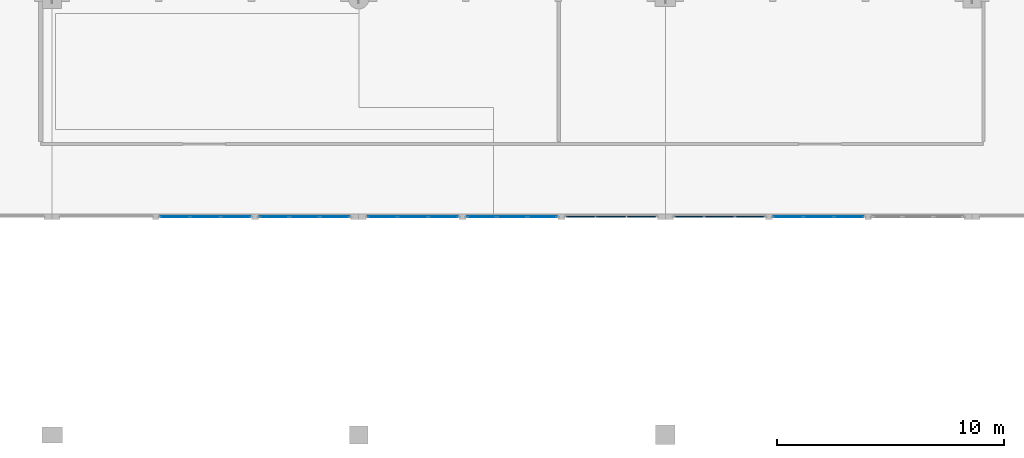
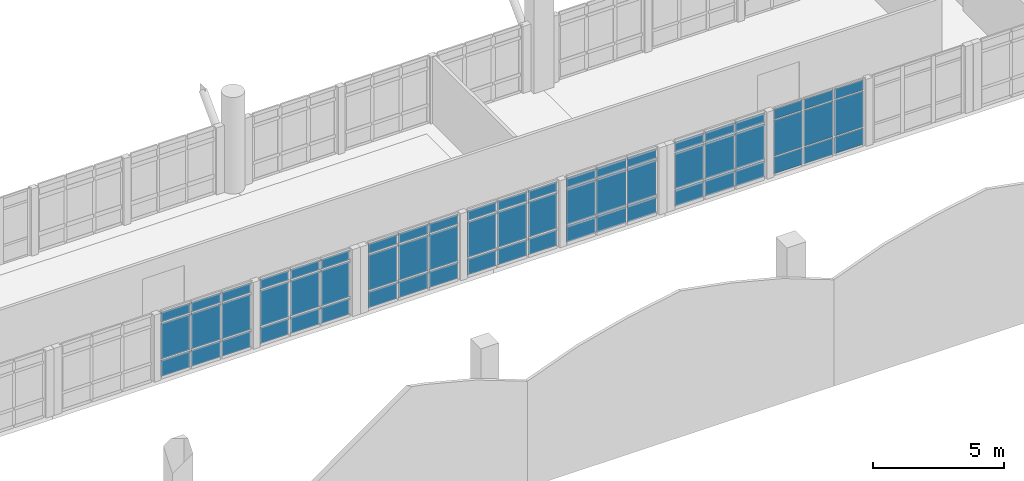
# One storey, part 27 of 37: 63 plates, 7 elements without a shape of their own.
"""IFC4 building model written with IfcOpenShell, lengths in metres."""

import ifcopenshell
import ifcopenshell.guid

model = None  # the IFC model being written
_history = None  # IfcOwnerHistory: only IFC2X3 demands one
_inside = {}  # id of a spatial element -> (the spatial element, [elements in it])
_under = {}  # id of a project, library or spatial element -> (it, [spatial elements below it])
_declared = {}  # id of a project -> (the project, [libraries it declares])
_typed = {}  # id of a type object -> (the type object, [elements of that type])
_made_of = {}  # id of a material, layer set ... -> (it, [elements and type objects made of it])


def new_model(schema):
    """Start an empty IFC model of exactly this schema.

    Asked for "IFC4X3", IfcOpenShell would pick the latest addendum, in which some entities
    have other attributes; the version numbers below select the first issue.
    IFC2X3 requires an IfcOwnerHistory on every rooted entity: one is made here for all.
    """
    global model, _history
    if schema == "IFC4X3":
        model = ifcopenshell.file(schema_version=(4, 3, 0, 0))
    else:
        model = ifcopenshell.file(schema=schema)
    _inside.clear()
    _under.clear()
    _declared.clear()
    _typed.clear()
    _made_of.clear()
    _history = None
    if model.schema == "IFC2X3":
        org = make("IfcOrganization", Name="unknown")
        user = make(
            "IfcPersonAndOrganization",
            ThePerson=make("IfcPerson", FamilyName="unknown"),
            TheOrganization=org,
        )
        app = make(
            "IfcApplication",
            ApplicationDeveloper=org,
            Version="unknown",
            ApplicationFullName="unknown",
            ApplicationIdentifier="unknown",
        )
        _history = make(
            "IfcOwnerHistory",
            OwningUser=user,
            OwningApplication=app,
            ChangeAction="ADDED",
            CreationDate=0,
        )
    return model


def make(cls, **values):
    """One entity of the class cls with the attributes given. An attribute that is None is left unset."""
    return model.create_entity(
        cls, **{name: value for name, value in values.items() if value is not None}
    )


def rooted(cls, **values):
    """An entity with a GlobalId (a new one), such as an element, a storey or a relation."""
    return make(cls, GlobalId=ifcopenshell.guid.new(), OwnerHistory=_history, **values)


def si_unit(unit_type, name, prefix=None):
    """IfcSIUnit, for example si_unit("LENGTHUNIT", "METRE", prefix="MILLI")."""
    return make("IfcSIUnit", UnitType=unit_type, Prefix=prefix, Name=name)


def assignment(units):
    """IfcUnitAssignment: the units of a project."""
    return None if units is None else make("IfcUnitAssignment", Units=units)


def point(xyz):
    """IfcCartesianPoint."""
    return None if xyz is None else make("IfcCartesianPoint", Coordinates=xyz)


def direction(xyz):
    """IfcDirection."""
    return None if xyz is None else make("IfcDirection", DirectionRatios=xyz)


def frame(location, z_axis=None, x_axis=None):
    """IfcAxis2Placement3D, a coordinate frame: its origin and axes. An axis left out is left unset."""
    return make(
        "IfcAxis2Placement3D",
        Location=point(location),
        Axis=direction(z_axis),
        RefDirection=direction(x_axis),
    )


def frame_2d(location, x_axis=None):
    """IfcAxis2Placement2D, a coordinate frame in the plane: its origin and x axis."""
    return make(
        "IfcAxis2Placement2D", Location=point(location), RefDirection=direction(x_axis)
    )


def origin():
    """The frame at (0, 0, 0) with its axes left unset."""
    return frame((0.0, 0.0, 0.0))


def origin_2d():
    """The frame at (0, 0) in the plane with its x axis left unset."""
    return frame_2d((0.0, 0.0))


def place(relative_to, where):
    """IfcLocalPlacement: puts the frame where relative to a parent placement (None: the world)."""
    return make(
        "IfcLocalPlacement", PlacementRelTo=relative_to, RelativePlacement=where
    )


def context(
    kind, dimensions, precision=None, world=None, true_north=None, identifier=None
):
    """IfcGeometricRepresentationContext, for example the 3D "Model" context."""
    return make(
        "IfcGeometricRepresentationContext",
        ContextIdentifier=identifier,
        ContextType=kind,
        CoordinateSpaceDimension=dimensions,
        Precision=precision,
        WorldCoordinateSystem=world,
        TrueNorth=true_north,
    )


def subcontext(parent, identifier, kind, view, scale=None):
    """IfcGeometricRepresentationSubContext, for example "Body" below "Model"."""
    return make(
        "IfcGeometricRepresentationSubContext",
        ContextIdentifier=identifier,
        ContextType=kind,
        ParentContext=parent,
        TargetScale=scale,
        TargetView=view,
    )


def project(units=None, contexts=None):
    """IfcProject with its units and contexts."""
    return rooted(
        "IfcProject",
        Name="project",
        RepresentationContexts=contexts,
        UnitsInContext=assignment(units),
    )


def spatial(cls, under=None, at=None, **own):
    """A site, building, storey or space (cls), placed at a placement, below another one or the project."""
    s = rooted(cls, ObjectPlacement=at, **own)
    if under is not None:
        _under.setdefault(under.id(), (under, []))[1].append(s)
    return s


def profile(cls, at=None, kind="AREA", **sizes):
    """A parametric profile (cls). Its sizes go by their IFC names, for example OverallWidth=200.0."""
    return make(cls, ProfileType=kind, Position=at, **sizes)


def rectangle(**sizes):
    """IfcRectangleProfileDef."""
    return profile("IfcRectangleProfileDef", **sizes)


def extrude(swept, where, along, depth):
    """IfcExtrudedAreaSolid: the profile swept, set in the frame where, extruded along a direction by depth."""
    return make(
        "IfcExtrudedAreaSolid",
        SweptArea=swept,
        Position=where,
        ExtrudedDirection=direction(along),
        Depth=depth,
    )


def shape(context_of_items, identifier, shape_type, items):
    """IfcShapeRepresentation: the items that make up one representation, for example the "Body"."""
    return make(
        "IfcShapeRepresentation",
        ContextOfItems=context_of_items,
        RepresentationIdentifier=identifier,
        RepresentationType=shape_type,
        Items=items,
    )


def material(Name=None, Category=None):
    """IfcMaterial."""
    return make("IfcMaterial", Name=Name, Category=Category)


def layer(
    of_material, thickness, ventilated=None, Name=None, Category=None, Priority=None
):
    """IfcMaterialLayer: one layer of a wall or slab, of a material (None: an air gap)."""
    return make(
        "IfcMaterialLayer",
        Material=of_material,
        LayerThickness=thickness,
        IsVentilated=ventilated,
        Name=Name,
        Category=Category,
        Priority=Priority,
    )


def layer_set(layers, Name=None):
    """IfcMaterialLayerSet."""
    return make("IfcMaterialLayerSet", MaterialLayers=layers, LayerSetName=Name)


def made_of(thing, what):
    """Note that an element or type object is made of a material, layer set ...; save() writes the relation."""
    if what is not None:
        _made_of.setdefault(what.id(), (what, []))[1].append(thing)
    return thing


def type_object(cls, material=None, **own):
    """A type object (cls), such as IfcWallType, which elements share."""
    return made_of(rooted(cls, **own), material)


def element(
    cls,
    number,
    at=None,
    inside=None,
    cuts=None,
    type_object=None,
    material=None,
    context=None,
    identifier="Body",
    shape_type=None,
    held_by="IfcProductDefinitionShape",
    body=None,
    shapes=None,
    **own,
):
    """One element of the class cls, such as IfcWall. Its Tag is "e" and its number.

    at: its placement. inside: the storey or other place that contains it. cuts: it is an
    opening in that element (IfcRelVoidsElement). A single representation is given by context,
    identifier, shape_type and body (its items); several are given by shapes. held_by: the class
    of the entity that holds the representations. save() writes the other relations.
    """
    e = rooted(cls, Tag="e%d" % number, ObjectPlacement=at, **own)
    if body is not None:
        shapes = [shape(context, identifier, shape_type, body)]
    if shapes is not None:
        e.Representation = make(held_by, Representations=shapes)
    if inside is not None:
        _inside.setdefault(inside.id(), (inside, []))[1].append(e)
    if cuts is not None:
        rooted(
            "IfcRelVoidsElement", RelatingBuildingElement=cuts, RelatedOpeningElement=e
        )
    if type_object is not None:
        _typed.setdefault(type_object.id(), (type_object, []))[1].append(e)
    return made_of(e, material)


def aggregate(whole, parts):
    """IfcRelAggregates: a whole, such as a stair, and the parts it consists of."""
    return rooted("IfcRelAggregates", RelatingObject=whole, RelatedObjects=parts)


def save(model, path):
    """Write the relations noted so far, then the file.

    IfcRelAggregates (storeys below a building ...), IfcRelContainedInSpatialStructure (elements
    in a storey), IfcRelDefinesByType, IfcRelAssociatesMaterial and IfcRelDeclares: one each for
    every whole, place, type object, material and project.
    """
    for whole, parts in _under.values():
        aggregate(whole, parts)
    for where, things in _inside.values():
        rooted(
            "IfcRelContainedInSpatialStructure",
            RelatedElements=things,
            RelatingStructure=where,
        )
    for kind, things in _typed.values():
        rooted("IfcRelDefinesByType", RelatedObjects=things, RelatingType=kind)
    for what, things in _made_of.values():
        rooted("IfcRelAssociatesMaterial", RelatedObjects=things, RelatingMaterial=what)
    for by, libraries in _declared.values():
        rooted("IfcRelDeclares", RelatingContext=by, RelatedDefinitions=libraries)
    model.write(path)


model = new_model("IFC4")

# Units and contexts
model_context = context("Model", 3, precision=1e-05, world=origin(), true_north=direction((0.0, 1.0)))
body_context = subcontext(model_context, "Body", "Model", "MODEL_VIEW")
ifc_project = project(units=[si_unit("LENGTHUNIT", "METRE"), si_unit("AREAUNIT", "SQUARE_METRE"), si_unit("VOLUMEUNIT", "CUBIC_METRE"), si_unit("PLANEANGLEUNIT", "RADIAN"), si_unit("MASSUNIT", "GRAM", prefix="KILO")], contexts=[model_context])

# Site, building, storey
site_placement = place(None, origin())
site = spatial("IfcSite", under=ifc_project, at=site_placement, CompositionType="ELEMENT")
building_placement = place(site_placement, origin())
building = spatial("IfcBuilding", under=site, at=building_placement, Name="Fikremerkos Civic Library", CompositionType="ELEMENT")
storey_placement = place(building_placement, frame((0.0, 0.0, 23.39990234375)))
storey = spatial("IfcBuildingStorey", under=building, at=storey_placement, Name="L05", CompositionType="ELEMENT", Elevation=23.39990234375)

# Curtain wall, plates
ifc_material_1 = material(Name="Anodized aluminium Frame", Category="aluminium")
ifc_layer_1 = layer(ifc_material_1, 0.159912109375, Name="Anodized aluminium Frame")
ifc_layer_set_1 = layer_set([ifc_layer_1], Name="Anodized aluminium Frame")
curtain_wall_type_1 = type_object("IfcCurtainWallType", Name="Unitised curtain wall CW-17 4600x3600", PredefinedType="USERDEFINED", material=ifc_layer_set_1)
curtain_wall_1_placement = place(storey_placement, origin())
curtain_wall_1 = element("IfcCurtainWall", 1, at=curtain_wall_1_placement, inside=storey, type_object=curtain_wall_type_1, Name="Unitised curtain wall CW-17 L05 #287", ObjectType="UNITISED CURTAIN WALL", PredefinedType="USERDEFINED")
ifc_material_2 = material(Name="Solar control double glazing", Category="glass")
ifc_layer_2 = layer(ifc_material_2, 0.028076171875, Name="Solar control double glazing")
ifc_layer_set_2 = layer_set([ifc_layer_2], Name="Solar control double glazing")
plate_type_1 = type_object("IfcPlateType", Name="Curtain glazing panel CWP-01 28", PredefinedType="CURTAIN_PANEL", material=ifc_layer_set_2)
plate_1_placement = place(storey_placement, frame((81.288818359375, 21.60009765625, 0.070068359375), z_axis=(0.0, 0.0, 1.0), x_axis=(-1.0, 0.0, 0.0)))
plate_1 = element("IfcPlate", 2, at=plate_1_placement, type_object=plate_type_1, Name="CW-17 panel 1.1", PredefinedType="CURTAIN_PANEL", context=body_context, shape_type="SweptSolid", body=[
    extrude(rectangle(XDim=1.257568359375, YDim=0.028076171875, at=origin_2d()), origin(), (0.0, 0.0, 1.0), 0.7451171875),
])
plate_2_placement = place(storey_placement, frame((81.288818359375, 21.60009765625, 0.88525390625), z_axis=(0.0, 0.0, 1.0), x_axis=(-1.0, 0.0, 0.0)))
plate_2 = element("IfcPlate", 3, at=plate_2_placement, type_object=plate_type_1, Name="CW-17 panel 1.2", PredefinedType="CURTAIN_PANEL", context=body_context, shape_type="SweptSolid", body=[
    extrude(rectangle(XDim=1.257568359375, YDim=0.028076171875, at=origin_2d()), origin(), (0.0, 0.0, 1.0), 1.64990234375),
])
plate_3_placement = place(storey_placement, frame((81.288818359375, 21.60009765625, 2.60498046875), z_axis=(0.0, 0.0, 1.0), x_axis=(-1.0, 0.0, 0.0)))
plate_3 = element("IfcPlate", 4, at=plate_3_placement, type_object=plate_type_1, Name="CW-17 panel 1.3", PredefinedType="CURTAIN_PANEL", context=body_context, shape_type="SweptSolid", body=[
    extrude(rectangle(XDim=1.257568359375, YDim=0.028076171875, at=origin_2d()), origin(), (0.0, 0.0, 1.0), 0.445068359375),
])
plate_4_placement = place(storey_placement, frame((79.949951171875, 21.60009765625, 0.070068359375), z_axis=(0.0, 0.0, 1.0), x_axis=(-1.0, 0.0, 0.0)))
plate_4 = element("IfcPlate", 5, at=plate_4_placement, type_object=plate_type_1, Name="CW-17 panel 2.1", PredefinedType="CURTAIN_PANEL", context=body_context, shape_type="SweptSolid", body=[
    extrude(rectangle(XDim=1.2900390625, YDim=0.028076171875, at=origin_2d()), origin(), (0.0, 0.0, 1.0), 0.7451171875),
])
plate_5_placement = place(storey_placement, frame((79.949951171875, 21.60009765625, 0.88525390625), z_axis=(0.0, 0.0, 1.0), x_axis=(-1.0, 0.0, 0.0)))
plate_5 = element("IfcPlate", 6, at=plate_5_placement, type_object=plate_type_1, Name="CW-17 panel 2.2", PredefinedType="CURTAIN_PANEL", context=body_context, shape_type="SweptSolid", body=[
    extrude(rectangle(XDim=1.2900390625, YDim=0.028076171875, at=origin_2d()), origin(), (0.0, 0.0, 1.0), 1.64990234375),
])
plate_6_placement = place(storey_placement, frame((79.949951171875, 21.60009765625, 2.60498046875), z_axis=(0.0, 0.0, 1.0), x_axis=(-1.0, 0.0, 0.0)))
plate_6 = element("IfcPlate", 7, at=plate_6_placement, type_object=plate_type_1, Name="CW-17 panel 2.3", PredefinedType="CURTAIN_PANEL", context=body_context, shape_type="SweptSolid", body=[
    extrude(rectangle(XDim=1.2900390625, YDim=0.028076171875, at=origin_2d()), origin(), (0.0, 0.0, 1.0), 0.445068359375),
])
plate_7_placement = place(storey_placement, frame((78.611083984375, 21.60009765625, 0.070068359375), z_axis=(0.0, 0.0, 1.0), x_axis=(-1.0, 0.0, 0.0)))
plate_7 = element("IfcPlate", 8, at=plate_7_placement, type_object=plate_type_1, Name="CW-17 panel 3.1", PredefinedType="CURTAIN_PANEL", context=body_context, shape_type="SweptSolid", body=[
    extrude(rectangle(XDim=1.257568359375, YDim=0.028076171875, at=origin_2d()), origin(), (0.0, 0.0, 1.0), 0.7451171875),
])
plate_8_placement = place(storey_placement, frame((78.611083984375, 21.60009765625, 0.88525390625), z_axis=(0.0, 0.0, 1.0), x_axis=(-1.0, 0.0, 0.0)))
plate_8 = element("IfcPlate", 9, at=plate_8_placement, type_object=plate_type_1, Name="CW-17 panel 3.2", PredefinedType="CURTAIN_PANEL", context=body_context, shape_type="SweptSolid", body=[
    extrude(rectangle(XDim=1.257568359375, YDim=0.028076171875, at=origin_2d()), origin(), (0.0, 0.0, 1.0), 1.64990234375),
])
plate_9_placement = place(storey_placement, frame((78.611083984375, 21.60009765625, 2.60498046875), z_axis=(0.0, 0.0, 1.0), x_axis=(-1.0, 0.0, 0.0)))
plate_9 = element("IfcPlate", 10, at=plate_9_placement, type_object=plate_type_1, Name="CW-17 panel 3.3", PredefinedType="CURTAIN_PANEL", context=body_context, shape_type="SweptSolid", body=[
    extrude(rectangle(XDim=1.257568359375, YDim=0.028076171875, at=origin_2d()), origin(), (0.0, 0.0, 1.0), 0.445068359375),
])
aggregate(curtain_wall_1, [plate_1, plate_2, plate_3, plate_4, plate_5, plate_6, plate_7, plate_8, plate_9])

ifc_layer_3 = layer(ifc_material_1, 0.159912109375, Name="Anodized aluminium Frame")
ifc_layer_set_3 = layer_set([ifc_layer_3], Name="Anodized aluminium Frame")
curtain_wall_type_2 = type_object("IfcCurtainWallType", Name="Unitised curtain wall CW-01 3600x3600", PredefinedType="USERDEFINED", material=ifc_layer_set_3)
curtain_wall_2_placement = place(storey_placement, origin())
curtain_wall_2 = element("IfcCurtainWall", 11, at=curtain_wall_2_placement, inside=storey, type_object=curtain_wall_type_2, Name="Unitised curtain wall CW-01 L05 #289", ObjectType="UNITISED CURTAIN WALL", PredefinedType="USERDEFINED")
plate_10_placement = place(storey_placement, frame((72.154296875, 21.60009765625, 0.070068359375), z_axis=(0.0, 0.0, 1.0), x_axis=(-1.0, 0.0, 0.0)))
plate_10 = element("IfcPlate", 12, at=plate_10_placement, type_object=plate_type_1, Name="CW-01 panel 1.1", PredefinedType="CURTAIN_PANEL", context=body_context, shape_type="SweptSolid", body=[
    extrude(rectangle(XDim=1.257568359375, YDim=0.028076171875, at=origin_2d()), origin(), (0.0, 0.0, 1.0), 0.7451171875),
])
plate_11_placement = place(storey_placement, frame((72.154296875, 21.60009765625, 0.88525390625), z_axis=(0.0, 0.0, 1.0), x_axis=(-1.0, 0.0, 0.0)))
plate_11 = element("IfcPlate", 13, at=plate_11_placement, type_object=plate_type_1, Name="CW-01 panel 1.2", PredefinedType="CURTAIN_PANEL", context=body_context, shape_type="SweptSolid", body=[
    extrude(rectangle(XDim=1.257568359375, YDim=0.028076171875, at=origin_2d()), origin(), (0.0, 0.0, 1.0), 1.64990234375),
])
plate_12_placement = place(storey_placement, frame((72.154296875, 21.60009765625, 2.60498046875), z_axis=(0.0, 0.0, 1.0), x_axis=(-1.0, 0.0, 0.0)))
plate_12 = element("IfcPlate", 14, at=plate_12_placement, type_object=plate_type_1, Name="CW-01 panel 1.3", PredefinedType="CURTAIN_PANEL", context=body_context, shape_type="SweptSolid", body=[
    extrude(rectangle(XDim=1.257568359375, YDim=0.028076171875, at=origin_2d()), origin(), (0.0, 0.0, 1.0), 0.445068359375),
])
plate_13_placement = place(storey_placement, frame((70.8154296875, 21.60009765625, 0.070068359375), z_axis=(0.0, 0.0, 1.0), x_axis=(-1.0, 0.0, 0.0)))
plate_13 = element("IfcPlate", 15, at=plate_13_placement, type_object=plate_type_1, Name="CW-01 panel 2.1", PredefinedType="CURTAIN_PANEL", context=body_context, shape_type="SweptSolid", body=[
    extrude(rectangle(XDim=1.2900390625, YDim=0.028076171875, at=origin_2d()), origin(), (0.0, 0.0, 1.0), 0.7451171875),
])
plate_14_placement = place(storey_placement, frame((70.8154296875, 21.60009765625, 0.88525390625), z_axis=(0.0, 0.0, 1.0), x_axis=(-1.0, 0.0, 0.0)))
plate_14 = element("IfcPlate", 16, at=plate_14_placement, type_object=plate_type_1, Name="CW-01 panel 2.2", PredefinedType="CURTAIN_PANEL", context=body_context, shape_type="SweptSolid", body=[
    extrude(rectangle(XDim=1.2900390625, YDim=0.028076171875, at=origin_2d()), origin(), (0.0, 0.0, 1.0), 1.64990234375),
])
plate_15_placement = place(storey_placement, frame((70.8154296875, 21.60009765625, 2.60498046875), z_axis=(0.0, 0.0, 1.0), x_axis=(-1.0, 0.0, 0.0)))
plate_15 = element("IfcPlate", 17, at=plate_15_placement, type_object=plate_type_1, Name="CW-01 panel 2.3", PredefinedType="CURTAIN_PANEL", context=body_context, shape_type="SweptSolid", body=[
    extrude(rectangle(XDim=1.2900390625, YDim=0.028076171875, at=origin_2d()), origin(), (0.0, 0.0, 1.0), 0.445068359375),
])
plate_16_placement = place(storey_placement, frame((69.4765625, 21.60009765625, 0.070068359375), z_axis=(0.0, 0.0, 1.0), x_axis=(-1.0, 0.0, 0.0)))
plate_16 = element("IfcPlate", 18, at=plate_16_placement, type_object=plate_type_1, Name="CW-01 panel 3.1", PredefinedType="CURTAIN_PANEL", context=body_context, shape_type="SweptSolid", body=[
    extrude(rectangle(XDim=1.257568359375, YDim=0.028076171875, at=origin_2d()), origin(), (0.0, 0.0, 1.0), 0.7451171875),
])
plate_17_placement = place(storey_placement, frame((69.4765625, 21.60009765625, 0.88525390625), z_axis=(0.0, 0.0, 1.0), x_axis=(-1.0, 0.0, 0.0)))
plate_17 = element("IfcPlate", 19, at=plate_17_placement, type_object=plate_type_1, Name="CW-01 panel 3.2", PredefinedType="CURTAIN_PANEL", context=body_context, shape_type="SweptSolid", body=[
    extrude(rectangle(XDim=1.257568359375, YDim=0.028076171875, at=origin_2d()), origin(), (0.0, 0.0, 1.0), 1.64990234375),
])
plate_18_placement = place(storey_placement, frame((69.4765625, 21.60009765625, 2.60498046875), z_axis=(0.0, 0.0, 1.0), x_axis=(-1.0, 0.0, 0.0)))
plate_18 = element("IfcPlate", 20, at=plate_18_placement, type_object=plate_type_1, Name="CW-01 panel 3.3", PredefinedType="CURTAIN_PANEL", context=body_context, shape_type="SweptSolid", body=[
    extrude(rectangle(XDim=1.257568359375, YDim=0.028076171875, at=origin_2d()), origin(), (0.0, 0.0, 1.0), 0.445068359375),
])
aggregate(curtain_wall_2, [plate_10, plate_11, plate_12, plate_13, plate_14, plate_15, plate_16, plate_17, plate_18])

ifc_layer_4 = layer(ifc_material_1, 0.159912109375, Name="Anodized aluminium Frame")
ifc_layer_set_4 = layer_set([ifc_layer_4], Name="Anodized aluminium Frame")
curtain_wall_type_3 = type_object("IfcCurtainWallType", Name="Unitised curtain wall CW-14 4100x3200", PredefinedType="USERDEFINED", material=ifc_layer_set_4)
curtain_wall_3_placement = place(storey_placement, origin())
curtain_wall_3 = element("IfcCurtainWall", 21, at=curtain_wall_3_placement, inside=storey, type_object=curtain_wall_type_3, Name="Unitised curtain wall CW-14 L05 #284", ObjectType="UNITISED CURTAIN WALL", PredefinedType="USERDEFINED")
ifc_layer_5 = layer(ifc_material_2, 0.035888671875, Name="Solar control double glazing")
ifc_layer_set_5 = layer_set([ifc_layer_5], Name="Solar control double glazing")
plate_type_2 = type_object("IfcPlateType", Name="Curtain glazing panel CWP-02 36", PredefinedType="CURTAIN_PANEL", material=ifc_layer_set_5)
plate_19_placement = place(storey_placement, frame((94.7900390625, 21.60009765625, 0.06005859375), z_axis=(0.0, 0.0, 1.0), x_axis=(-1.0, 0.0, 0.0)))
plate_19 = element("IfcPlate", 22, at=plate_19_placement, type_object=plate_type_2, Name="CW-14 panel 1.1", PredefinedType="CURTAIN_PANEL", context=body_context, shape_type="SweptSolid", body=[
    extrude(rectangle(XDim=1.26513671875, YDim=0.035888671875, at=origin_2d()), origin(), (0.0, 0.0, 1.0), 0.760009765625),
])
plate_20_placement = place(storey_placement, frame((94.7900390625, 21.60009765625, 0.88037109375), z_axis=(0.0, 0.0, 1.0), x_axis=(-1.0, 0.0, 0.0)))
plate_20 = element("IfcPlate", 23, at=plate_20_placement, type_object=plate_type_2, Name="CW-14 panel 1.2", PredefinedType="CURTAIN_PANEL", context=body_context, shape_type="SweptSolid", body=[
    extrude(rectangle(XDim=1.26513671875, YDim=0.035888671875, at=origin_2d()), origin(), (0.0, 0.0, 1.0), 1.659912109375),
])
plate_21_placement = place(storey_placement, frame((94.7900390625, 21.60009765625, 2.60009765625), z_axis=(0.0, 0.0, 1.0), x_axis=(-1.0, 0.0, 0.0)))
plate_21 = element("IfcPlate", 24, at=plate_21_placement, type_object=plate_type_2, Name="CW-14 panel 1.3", PredefinedType="CURTAIN_PANEL", context=body_context, shape_type="SweptSolid", body=[
    extrude(rectangle(XDim=1.26513671875, YDim=0.035888671875, at=origin_2d()), origin(), (0.0, 0.0, 1.0), 0.4599609375),
])
plate_22_placement = place(storey_placement, frame((93.449951171875, 21.60009765625, 0.06005859375), z_axis=(0.0, 0.0, 1.0), x_axis=(-1.0, 0.0, 0.0)))
plate_22 = element("IfcPlate", 25, at=plate_22_placement, type_object=plate_type_2, Name="CW-14 panel 2.1", PredefinedType="CURTAIN_PANEL", context=body_context, shape_type="SweptSolid", body=[
    extrude(rectangle(XDim=1.295166015625, YDim=0.035888671875, at=origin_2d()), origin(), (0.0, 0.0, 1.0), 0.760009765625),
])
plate_23_placement = place(storey_placement, frame((93.449951171875, 21.60009765625, 0.88037109375), z_axis=(0.0, 0.0, 1.0), x_axis=(-1.0, 0.0, 0.0)))
plate_23 = element("IfcPlate", 26, at=plate_23_placement, type_object=plate_type_2, Name="CW-14 panel 2.2", PredefinedType="CURTAIN_PANEL", context=body_context, shape_type="SweptSolid", body=[
    extrude(rectangle(XDim=1.295166015625, YDim=0.035888671875, at=origin_2d()), origin(), (0.0, 0.0, 1.0), 1.659912109375),
])
plate_24_placement = place(storey_placement, frame((93.449951171875, 21.60009765625, 2.60009765625), z_axis=(0.0, 0.0, 1.0), x_axis=(-1.0, 0.0, 0.0)))
plate_24 = element("IfcPlate", 27, at=plate_24_placement, type_object=plate_type_2, Name="CW-14 panel 2.3", PredefinedType="CURTAIN_PANEL", context=body_context, shape_type="SweptSolid", body=[
    extrude(rectangle(XDim=1.295166015625, YDim=0.035888671875, at=origin_2d()), origin(), (0.0, 0.0, 1.0), 0.4599609375),
])
plate_25_placement = place(storey_placement, frame((92.10986328125, 21.60009765625, 0.06005859375), z_axis=(0.0, 0.0, 1.0), x_axis=(-1.0, 0.0, 0.0)))
plate_25 = element("IfcPlate", 28, at=plate_25_placement, type_object=plate_type_2, Name="CW-14 panel 3.1", PredefinedType="CURTAIN_PANEL", context=body_context, shape_type="SweptSolid", body=[
    extrude(rectangle(XDim=1.26513671875, YDim=0.035888671875, at=origin_2d()), origin(), (0.0, 0.0, 1.0), 0.760009765625),
])
plate_26_placement = place(storey_placement, frame((92.10986328125, 21.60009765625, 0.88037109375), z_axis=(0.0, 0.0, 1.0), x_axis=(-1.0, 0.0, 0.0)))
plate_26 = element("IfcPlate", 29, at=plate_26_placement, type_object=plate_type_2, Name="CW-14 panel 3.2", PredefinedType="CURTAIN_PANEL", context=body_context, shape_type="SweptSolid", body=[
    extrude(rectangle(XDim=1.26513671875, YDim=0.035888671875, at=origin_2d()), origin(), (0.0, 0.0, 1.0), 1.659912109375),
])
plate_27_placement = place(storey_placement, frame((92.10986328125, 21.60009765625, 2.60009765625), z_axis=(0.0, 0.0, 1.0), x_axis=(-1.0, 0.0, 0.0)))
plate_27 = element("IfcPlate", 30, at=plate_27_placement, type_object=plate_type_2, Name="CW-14 panel 3.3", PredefinedType="CURTAIN_PANEL", context=body_context, shape_type="SweptSolid", body=[
    extrude(rectangle(XDim=1.26513671875, YDim=0.035888671875, at=origin_2d()), origin(), (0.0, 0.0, 1.0), 0.4599609375),
])
aggregate(curtain_wall_3, [plate_19, plate_20, plate_21, plate_22, plate_23, plate_24, plate_25, plate_26, plate_27])

ifc_layer_6 = layer(ifc_material_1, 0.159912109375, Name="Anodized aluminium Frame")
ifc_layer_set_6 = layer_set([ifc_layer_6], Name="Anodized aluminium Frame")
curtain_wall_type_4 = type_object("IfcCurtainWallType", Name="Unitised curtain wall CW-18 2700x3400", PredefinedType="USERDEFINED", material=ifc_layer_set_6)
curtain_wall_4_placement = place(storey_placement, origin())
curtain_wall_4 = element("IfcCurtainWall", 31, at=curtain_wall_4_placement, inside=storey, type_object=curtain_wall_type_4, Name="Unitised curtain wall CW-18 L05 #288", ObjectType="UNITISED CURTAIN WALL", PredefinedType="USERDEFINED")
plate_28_placement = place(storey_placement, frame((76.9248046875, 21.60009765625, 0.070068359375), z_axis=(0.0, 0.0, 1.0), x_axis=(-1.0, 0.0, 0.0)))
plate_28 = element("IfcPlate", 32, at=plate_28_placement, type_object=plate_type_2, Name="CW-18 panel 1.1", PredefinedType="CURTAIN_PANEL", context=body_context, shape_type="SweptSolid", body=[
    extrude(rectangle(XDim=1.26513671875, YDim=0.035888671875, at=origin_2d()), origin(), (0.0, 0.0, 1.0), 0.7451171875),
])
plate_29_placement = place(storey_placement, frame((76.9248046875, 21.60009765625, 0.88525390625), z_axis=(0.0, 0.0, 1.0), x_axis=(-1.0, 0.0, 0.0)))
plate_29 = element("IfcPlate", 33, at=plate_29_placement, type_object=plate_type_2, Name="CW-18 panel 1.2", PredefinedType="CURTAIN_PANEL", context=body_context, shape_type="SweptSolid", body=[
    extrude(rectangle(XDim=1.26513671875, YDim=0.035888671875, at=origin_2d()), origin(), (0.0, 0.0, 1.0), 1.64990234375),
])
plate_30_placement = place(storey_placement, frame((76.9248046875, 21.60009765625, 2.60498046875), z_axis=(0.0, 0.0, 1.0), x_axis=(-1.0, 0.0, 0.0)))
plate_30 = element("IfcPlate", 34, at=plate_30_placement, type_object=plate_type_2, Name="CW-18 panel 1.3", PredefinedType="CURTAIN_PANEL", context=body_context, shape_type="SweptSolid", body=[
    extrude(rectangle(XDim=1.26513671875, YDim=0.035888671875, at=origin_2d()), origin(), (0.0, 0.0, 1.0), 0.445068359375),
])
plate_31_placement = place(storey_placement, frame((75.584716796875, 21.60009765625, 0.070068359375), z_axis=(0.0, 0.0, 1.0), x_axis=(-1.0, 0.0, 0.0)))
plate_31 = element("IfcPlate", 35, at=plate_31_placement, type_object=plate_type_2, Name="CW-18 panel 2.1", PredefinedType="CURTAIN_PANEL", context=body_context, shape_type="SweptSolid", body=[
    extrude(rectangle(XDim=1.295166015625, YDim=0.035888671875, at=origin_2d()), origin(), (0.0, 0.0, 1.0), 0.7451171875),
])
plate_32_placement = place(storey_placement, frame((75.584716796875, 21.60009765625, 0.88525390625), z_axis=(0.0, 0.0, 1.0), x_axis=(-1.0, 0.0, 0.0)))
plate_32 = element("IfcPlate", 36, at=plate_32_placement, type_object=plate_type_2, Name="CW-18 panel 2.2", PredefinedType="CURTAIN_PANEL", context=body_context, shape_type="SweptSolid", body=[
    extrude(rectangle(XDim=1.295166015625, YDim=0.035888671875, at=origin_2d()), origin(), (0.0, 0.0, 1.0), 1.64990234375),
])
plate_33_placement = place(storey_placement, frame((75.584716796875, 21.60009765625, 2.60498046875), z_axis=(0.0, 0.0, 1.0), x_axis=(-1.0, 0.0, 0.0)))
plate_33 = element("IfcPlate", 37, at=plate_33_placement, type_object=plate_type_2, Name="CW-18 panel 2.3", PredefinedType="CURTAIN_PANEL", context=body_context, shape_type="SweptSolid", body=[
    extrude(rectangle(XDim=1.295166015625, YDim=0.035888671875, at=origin_2d()), origin(), (0.0, 0.0, 1.0), 0.445068359375),
])
plate_34_placement = place(storey_placement, frame((74.24462890625, 21.60009765625, 0.070068359375), z_axis=(0.0, 0.0, 1.0), x_axis=(-1.0, 0.0, 0.0)))
plate_34 = element("IfcPlate", 38, at=plate_34_placement, type_object=plate_type_2, Name="CW-18 panel 3.1", PredefinedType="CURTAIN_PANEL", context=body_context, shape_type="SweptSolid", body=[
    extrude(rectangle(XDim=1.26513671875, YDim=0.035888671875, at=origin_2d()), origin(), (0.0, 0.0, 1.0), 0.7451171875),
])
plate_35_placement = place(storey_placement, frame((74.24462890625, 21.60009765625, 0.88525390625), z_axis=(0.0, 0.0, 1.0), x_axis=(-1.0, 0.0, 0.0)))
plate_35 = element("IfcPlate", 39, at=plate_35_placement, type_object=plate_type_2, Name="CW-18 panel 3.2", PredefinedType="CURTAIN_PANEL", context=body_context, shape_type="SweptSolid", body=[
    extrude(rectangle(XDim=1.26513671875, YDim=0.035888671875, at=origin_2d()), origin(), (0.0, 0.0, 1.0), 1.64990234375),
])
plate_36_placement = place(storey_placement, frame((74.24462890625, 21.60009765625, 2.60498046875), z_axis=(0.0, 0.0, 1.0), x_axis=(-1.0, 0.0, 0.0)))
plate_36 = element("IfcPlate", 40, at=plate_36_placement, type_object=plate_type_2, Name="CW-18 panel 3.3", PredefinedType="CURTAIN_PANEL", context=body_context, shape_type="SweptSolid", body=[
    extrude(rectangle(XDim=1.26513671875, YDim=0.035888671875, at=origin_2d()), origin(), (0.0, 0.0, 1.0), 0.445068359375),
])
aggregate(curtain_wall_4, [plate_28, plate_29, plate_30, plate_31, plate_32, plate_33, plate_34, plate_35, plate_36])

ifc_layer_7 = layer(ifc_material_1, 0.159912109375, Name="Anodized aluminium Frame")
ifc_layer_set_7 = layer_set([ifc_layer_7], Name="Anodized aluminium Frame")
curtain_wall_type_5 = type_object("IfcCurtainWallType", Name="Unitised curtain wall CW-02 3900x3600", PredefinedType="USERDEFINED", material=ifc_layer_set_7)
curtain_wall_5_placement = place(storey_placement, origin())
curtain_wall_5 = element("IfcCurtainWall", 41, at=curtain_wall_5_placement, inside=storey, type_object=curtain_wall_type_5, Name="Unitised curtain wall CW-02 L05 #290", ObjectType="UNITISED CURTAIN WALL", PredefinedType="USERDEFINED")
plate_37_placement = place(storey_placement, frame((67.7900390625, 21.60009765625, 0.070068359375), z_axis=(0.0, 0.0, 1.0), x_axis=(-1.0, 0.0, 0.0)))
plate_37 = element("IfcPlate", 42, at=plate_37_placement, type_object=plate_type_2, Name="CW-02 panel 1.1", PredefinedType="CURTAIN_PANEL", context=body_context, shape_type="SweptSolid", body=[
    extrude(rectangle(XDim=1.26513671875, YDim=0.035888671875, at=origin_2d()), origin(), (0.0, 0.0, 1.0), 0.7451171875),
])
plate_38_placement = place(storey_placement, frame((67.7900390625, 21.60009765625, 0.88525390625), z_axis=(0.0, 0.0, 1.0), x_axis=(-1.0, 0.0, 0.0)))
plate_38 = element("IfcPlate", 43, at=plate_38_placement, type_object=plate_type_2, Name="CW-02 panel 1.2", PredefinedType="CURTAIN_PANEL", context=body_context, shape_type="SweptSolid", body=[
    extrude(rectangle(XDim=1.26513671875, YDim=0.035888671875, at=origin_2d()), origin(), (0.0, 0.0, 1.0), 1.64990234375),
])
plate_39_placement = place(storey_placement, frame((67.7900390625, 21.60009765625, 2.60498046875), z_axis=(0.0, 0.0, 1.0), x_axis=(-1.0, 0.0, 0.0)))
plate_39 = element("IfcPlate", 44, at=plate_39_placement, type_object=plate_type_2, Name="CW-02 panel 1.3", PredefinedType="CURTAIN_PANEL", context=body_context, shape_type="SweptSolid", body=[
    extrude(rectangle(XDim=1.26513671875, YDim=0.035888671875, at=origin_2d()), origin(), (0.0, 0.0, 1.0), 0.445068359375),
])
plate_40_placement = place(storey_placement, frame((66.449951171875, 21.60009765625, 0.070068359375), z_axis=(0.0, 0.0, 1.0), x_axis=(-1.0, 0.0, 0.0)))
plate_40 = element("IfcPlate", 45, at=plate_40_placement, type_object=plate_type_2, Name="CW-02 panel 2.1", PredefinedType="CURTAIN_PANEL", context=body_context, shape_type="SweptSolid", body=[
    extrude(rectangle(XDim=1.295166015625, YDim=0.035888671875, at=origin_2d()), origin(), (0.0, 0.0, 1.0), 0.7451171875),
])
plate_41_placement = place(storey_placement, frame((66.449951171875, 21.60009765625, 0.88525390625), z_axis=(0.0, 0.0, 1.0), x_axis=(-1.0, 0.0, 0.0)))
plate_41 = element("IfcPlate", 46, at=plate_41_placement, type_object=plate_type_2, Name="CW-02 panel 2.2", PredefinedType="CURTAIN_PANEL", context=body_context, shape_type="SweptSolid", body=[
    extrude(rectangle(XDim=1.295166015625, YDim=0.035888671875, at=origin_2d()), origin(), (0.0, 0.0, 1.0), 1.64990234375),
])
plate_42_placement = place(storey_placement, frame((66.449951171875, 21.60009765625, 2.60498046875), z_axis=(0.0, 0.0, 1.0), x_axis=(-1.0, 0.0, 0.0)))
plate_42 = element("IfcPlate", 47, at=plate_42_placement, type_object=plate_type_2, Name="CW-02 panel 2.3", PredefinedType="CURTAIN_PANEL", context=body_context, shape_type="SweptSolid", body=[
    extrude(rectangle(XDim=1.295166015625, YDim=0.035888671875, at=origin_2d()), origin(), (0.0, 0.0, 1.0), 0.445068359375),
])
plate_43_placement = place(storey_placement, frame((65.10986328125, 21.60009765625, 0.070068359375), z_axis=(0.0, 0.0, 1.0), x_axis=(-1.0, 0.0, 0.0)))
plate_43 = element("IfcPlate", 48, at=plate_43_placement, type_object=plate_type_2, Name="CW-02 panel 3.1", PredefinedType="CURTAIN_PANEL", context=body_context, shape_type="SweptSolid", body=[
    extrude(rectangle(XDim=1.26513671875, YDim=0.035888671875, at=origin_2d()), origin(), (0.0, 0.0, 1.0), 0.7451171875),
])
plate_44_placement = place(storey_placement, frame((65.10986328125, 21.60009765625, 0.88525390625), z_axis=(0.0, 0.0, 1.0), x_axis=(-1.0, 0.0, 0.0)))
plate_44 = element("IfcPlate", 49, at=plate_44_placement, type_object=plate_type_2, Name="CW-02 panel 3.2", PredefinedType="CURTAIN_PANEL", context=body_context, shape_type="SweptSolid", body=[
    extrude(rectangle(XDim=1.26513671875, YDim=0.035888671875, at=origin_2d()), origin(), (0.0, 0.0, 1.0), 1.64990234375),
])
plate_45_placement = place(storey_placement, frame((65.10986328125, 21.60009765625, 2.60498046875), z_axis=(0.0, 0.0, 1.0), x_axis=(-1.0, 0.0, 0.0)))
plate_45 = element("IfcPlate", 50, at=plate_45_placement, type_object=plate_type_2, Name="CW-02 panel 3.3", PredefinedType="CURTAIN_PANEL", context=body_context, shape_type="SweptSolid", body=[
    extrude(rectangle(XDim=1.26513671875, YDim=0.035888671875, at=origin_2d()), origin(), (0.0, 0.0, 1.0), 0.445068359375),
])
aggregate(curtain_wall_5, [plate_37, plate_38, plate_39, plate_40, plate_41, plate_42, plate_43, plate_44, plate_45])

ifc_layer_8 = layer(ifc_material_1, 0.159912109375, Name="Anodized aluminium Frame")
ifc_layer_set_8 = layer_set([ifc_layer_8], Name="Anodized aluminium Frame")
curtain_wall_type_6 = type_object("IfcCurtainWallType", Name="Unitised curtain wall CW-15 2900x3600", PredefinedType="USERDEFINED", material=ifc_layer_set_8)
curtain_wall_6_placement = place(storey_placement, origin())
curtain_wall_6 = element("IfcCurtainWall", 51, at=curtain_wall_6_placement, inside=storey, type_object=curtain_wall_type_6, Name="Unitised curtain wall CW-15 L05 #285", ObjectType="UNITISED CURTAIN WALL", PredefinedType="USERDEFINED")
ifc_material_3 = material(Name="Insulated aluminium spandrel", Category="aluminium")
ifc_layer_9 = layer(ifc_material_3, 0.044921875, Name="Insulated aluminium spandrel")
ifc_layer_set_9 = layer_set([ifc_layer_9], Name="Insulated aluminium spandrel")
plate_type_3 = type_object("IfcPlateType", Name="Curtain spandrel panel CSP-01 45", PredefinedType="CURTAIN_PANEL", material=ifc_layer_set_9)
plate_46_placement = place(storey_placement, frame((90.4248046875, 21.60009765625, 0.070068359375), z_axis=(0.0, 0.0, 1.0), x_axis=(-1.0, 0.0, 0.0)))
plate_46 = element("IfcPlate", 52, at=plate_46_placement, type_object=plate_type_3, Name="CW-15 panel 1.1", PredefinedType="CURTAIN_PANEL", context=body_context, shape_type="SweptSolid", body=[
    extrude(rectangle(XDim=1.26513671875, YDim=0.044921875, at=origin_2d()), origin(), (0.0, 0.0, 1.0), 0.7451171875),
])
plate_47_placement = place(storey_placement, frame((90.4248046875, 21.60009765625, 0.88525390625), z_axis=(0.0, 0.0, 1.0), x_axis=(-1.0, 0.0, 0.0)))
plate_47 = element("IfcPlate", 53, at=plate_47_placement, type_object=plate_type_3, Name="CW-15 panel 1.2", PredefinedType="CURTAIN_PANEL", context=body_context, shape_type="SweptSolid", body=[
    extrude(rectangle(XDim=1.26513671875, YDim=0.044921875, at=origin_2d()), origin(), (0.0, 0.0, 1.0), 1.64990234375),
])
plate_48_placement = place(storey_placement, frame((90.4248046875, 21.60009765625, 2.60498046875), z_axis=(0.0, 0.0, 1.0), x_axis=(-1.0, 0.0, 0.0)))
plate_48 = element("IfcPlate", 54, at=plate_48_placement, type_object=plate_type_3, Name="CW-15 panel 1.3", PredefinedType="CURTAIN_PANEL", context=body_context, shape_type="SweptSolid", body=[
    extrude(rectangle(XDim=1.26513671875, YDim=0.044921875, at=origin_2d()), origin(), (0.0, 0.0, 1.0), 0.445068359375),
])
plate_49_placement = place(storey_placement, frame((89.084716796875, 21.60009765625, 0.070068359375), z_axis=(0.0, 0.0, 1.0), x_axis=(-1.0, 0.0, 0.0)))
plate_49 = element("IfcPlate", 55, at=plate_49_placement, type_object=plate_type_3, Name="CW-15 panel 2.1", PredefinedType="CURTAIN_PANEL", context=body_context, shape_type="SweptSolid", body=[
    extrude(rectangle(XDim=1.295166015625, YDim=0.044921875, at=origin_2d()), origin(), (0.0, 0.0, 1.0), 0.7451171875),
])
plate_50_placement = place(storey_placement, frame((89.084716796875, 21.60009765625, 0.88525390625), z_axis=(0.0, 0.0, 1.0), x_axis=(-1.0, 0.0, 0.0)))
plate_50 = element("IfcPlate", 56, at=plate_50_placement, type_object=plate_type_3, Name="CW-15 panel 2.2", PredefinedType="CURTAIN_PANEL", context=body_context, shape_type="SweptSolid", body=[
    extrude(rectangle(XDim=1.295166015625, YDim=0.044921875, at=origin_2d()), origin(), (0.0, 0.0, 1.0), 1.64990234375),
])
plate_51_placement = place(storey_placement, frame((89.084716796875, 21.60009765625, 2.60498046875), z_axis=(0.0, 0.0, 1.0), x_axis=(-1.0, 0.0, 0.0)))
plate_51 = element("IfcPlate", 57, at=plate_51_placement, type_object=plate_type_3, Name="CW-15 panel 2.3", PredefinedType="CURTAIN_PANEL", context=body_context, shape_type="SweptSolid", body=[
    extrude(rectangle(XDim=1.295166015625, YDim=0.044921875, at=origin_2d()), origin(), (0.0, 0.0, 1.0), 0.445068359375),
])
plate_52_placement = place(storey_placement, frame((87.74462890625, 21.60009765625, 0.070068359375), z_axis=(0.0, 0.0, 1.0), x_axis=(-1.0, 0.0, 0.0)))
plate_52 = element("IfcPlate", 58, at=plate_52_placement, type_object=plate_type_3, Name="CW-15 panel 3.1", PredefinedType="CURTAIN_PANEL", context=body_context, shape_type="SweptSolid", body=[
    extrude(rectangle(XDim=1.26513671875, YDim=0.044921875, at=origin_2d()), origin(), (0.0, 0.0, 1.0), 0.7451171875),
])
plate_53_placement = place(storey_placement, frame((87.74462890625, 21.60009765625, 0.88525390625), z_axis=(0.0, 0.0, 1.0), x_axis=(-1.0, 0.0, 0.0)))
plate_53 = element("IfcPlate", 59, at=plate_53_placement, type_object=plate_type_3, Name="CW-15 panel 3.2", PredefinedType="CURTAIN_PANEL", context=body_context, shape_type="SweptSolid", body=[
    extrude(rectangle(XDim=1.26513671875, YDim=0.044921875, at=origin_2d()), origin(), (0.0, 0.0, 1.0), 1.64990234375),
])
plate_54_placement = place(storey_placement, frame((87.74462890625, 21.60009765625, 2.60498046875), z_axis=(0.0, 0.0, 1.0), x_axis=(-1.0, 0.0, 0.0)))
plate_54 = element("IfcPlate", 60, at=plate_54_placement, type_object=plate_type_3, Name="CW-15 panel 3.3", PredefinedType="CURTAIN_PANEL", context=body_context, shape_type="SweptSolid", body=[
    extrude(rectangle(XDim=1.26513671875, YDim=0.044921875, at=origin_2d()), origin(), (0.0, 0.0, 1.0), 0.445068359375),
])
aggregate(curtain_wall_6, [plate_46, plate_47, plate_48, plate_49, plate_50, plate_51, plate_52, plate_53, plate_54])

ifc_layer_10 = layer(ifc_material_1, 0.159912109375, Name="Anodized aluminium Frame")
ifc_layer_set_10 = layer_set([ifc_layer_10], Name="Anodized aluminium Frame")
curtain_wall_type_7 = type_object("IfcCurtainWallType", Name="Unitised curtain wall CW-16 3100x4100", PredefinedType="USERDEFINED", material=ifc_layer_set_10)
curtain_wall_7_placement = place(storey_placement, origin())
curtain_wall_7 = element("IfcCurtainWall", 61, at=curtain_wall_7_placement, inside=storey, type_object=curtain_wall_type_7, Name="Unitised curtain wall CW-16 L05 #286", ObjectType="UNITISED CURTAIN WALL", PredefinedType="USERDEFINED")
ifc_layer_11 = layer(ifc_material_3, 0.054931640625, Name="Insulated aluminium spandrel")
ifc_layer_set_11 = layer_set([ifc_layer_11], Name="Insulated aluminium spandrel")
plate_type_4 = type_object("IfcPlateType", Name="Curtain spandrel panel CSP-02 55", PredefinedType="CURTAIN_PANEL", material=ifc_layer_set_11)
plate_55_placement = place(storey_placement, frame((85.655517578125, 21.60009765625, 0.070068359375), z_axis=(0.0, 0.0, 1.0), x_axis=(-1.0, 0.0, 0.0)))
plate_55 = element("IfcPlate", 62, at=plate_55_placement, type_object=plate_type_4, Name="CW-16 panel 1.1", PredefinedType="CURTAIN_PANEL", context=body_context, shape_type="SweptSolid", body=[
    extrude(rectangle(XDim=1.26513671875, YDim=0.054931640625, at=origin_2d()), origin(), (0.0, 0.0, 1.0), 0.7451171875),
])
plate_56_placement = place(storey_placement, frame((85.655517578125, 21.60009765625, 0.88525390625), z_axis=(0.0, 0.0, 1.0), x_axis=(-1.0, 0.0, 0.0)))
plate_56 = element("IfcPlate", 63, at=plate_56_placement, type_object=plate_type_4, Name="CW-16 panel 1.2", PredefinedType="CURTAIN_PANEL", context=body_context, shape_type="SweptSolid", body=[
    extrude(rectangle(XDim=1.26513671875, YDim=0.054931640625, at=origin_2d()), origin(), (0.0, 0.0, 1.0), 1.64990234375),
])
plate_57_placement = place(storey_placement, frame((85.655517578125, 21.60009765625, 2.60498046875), z_axis=(0.0, 0.0, 1.0), x_axis=(-1.0, 0.0, 0.0)))
plate_57 = element("IfcPlate", 64, at=plate_57_placement, type_object=plate_type_4, Name="CW-16 panel 1.3", PredefinedType="CURTAIN_PANEL", context=body_context, shape_type="SweptSolid", body=[
    extrude(rectangle(XDim=1.26513671875, YDim=0.054931640625, at=origin_2d()), origin(), (0.0, 0.0, 1.0), 0.445068359375),
])
plate_58_placement = place(storey_placement, frame((84.3154296875, 21.60009765625, 0.070068359375), z_axis=(0.0, 0.0, 1.0), x_axis=(-1.0, 0.0, 0.0)))
plate_58 = element("IfcPlate", 65, at=plate_58_placement, type_object=plate_type_4, Name="CW-16 panel 2.1", PredefinedType="CURTAIN_PANEL", context=body_context, shape_type="SweptSolid", body=[
    extrude(rectangle(XDim=1.295166015625, YDim=0.054931640625, at=origin_2d()), origin(), (0.0, 0.0, 1.0), 0.7451171875),
])
plate_59_placement = place(storey_placement, frame((84.3154296875, 21.60009765625, 0.88525390625), z_axis=(0.0, 0.0, 1.0), x_axis=(-1.0, 0.0, 0.0)))
plate_59 = element("IfcPlate", 66, at=plate_59_placement, type_object=plate_type_4, Name="CW-16 panel 2.2", PredefinedType="CURTAIN_PANEL", context=body_context, shape_type="SweptSolid", body=[
    extrude(rectangle(XDim=1.295166015625, YDim=0.054931640625, at=origin_2d()), origin(), (0.0, 0.0, 1.0), 1.64990234375),
])
plate_60_placement = place(storey_placement, frame((84.3154296875, 21.60009765625, 2.60498046875), z_axis=(0.0, 0.0, 1.0), x_axis=(-1.0, 0.0, 0.0)))
plate_60 = element("IfcPlate", 67, at=plate_60_placement, type_object=plate_type_4, Name="CW-16 panel 2.3", PredefinedType="CURTAIN_PANEL", context=body_context, shape_type="SweptSolid", body=[
    extrude(rectangle(XDim=1.295166015625, YDim=0.054931640625, at=origin_2d()), origin(), (0.0, 0.0, 1.0), 0.445068359375),
])
plate_61_placement = place(storey_placement, frame((82.975341796875, 21.60009765625, 0.070068359375), z_axis=(0.0, 0.0, 1.0), x_axis=(-1.0, 0.0, 0.0)))
plate_61 = element("IfcPlate", 68, at=plate_61_placement, type_object=plate_type_4, Name="CW-16 panel 3.1", PredefinedType="CURTAIN_PANEL", context=body_context, shape_type="SweptSolid", body=[
    extrude(rectangle(XDim=1.26513671875, YDim=0.054931640625, at=origin_2d()), origin(), (0.0, 0.0, 1.0), 0.7451171875),
])
plate_62_placement = place(storey_placement, frame((82.975341796875, 21.60009765625, 0.88525390625), z_axis=(0.0, 0.0, 1.0), x_axis=(-1.0, 0.0, 0.0)))
plate_62 = element("IfcPlate", 69, at=plate_62_placement, type_object=plate_type_4, Name="CW-16 panel 3.2", PredefinedType="CURTAIN_PANEL", context=body_context, shape_type="SweptSolid", body=[
    extrude(rectangle(XDim=1.26513671875, YDim=0.054931640625, at=origin_2d()), origin(), (0.0, 0.0, 1.0), 1.64990234375),
])
plate_63_placement = place(storey_placement, frame((82.975341796875, 21.60009765625, 2.60498046875), z_axis=(0.0, 0.0, 1.0), x_axis=(-1.0, 0.0, 0.0)))
plate_63 = element("IfcPlate", 70, at=plate_63_placement, type_object=plate_type_4, Name="CW-16 panel 3.3", PredefinedType="CURTAIN_PANEL", context=body_context, shape_type="SweptSolid", body=[
    extrude(rectangle(XDim=1.26513671875, YDim=0.054931640625, at=origin_2d()), origin(), (0.0, 0.0, 1.0), 0.445068359375),
])
aggregate(curtain_wall_7, [plate_55, plate_56, plate_57, plate_58, plate_59, plate_60, plate_61, plate_62, plate_63])

save(model, "model.ifc")
